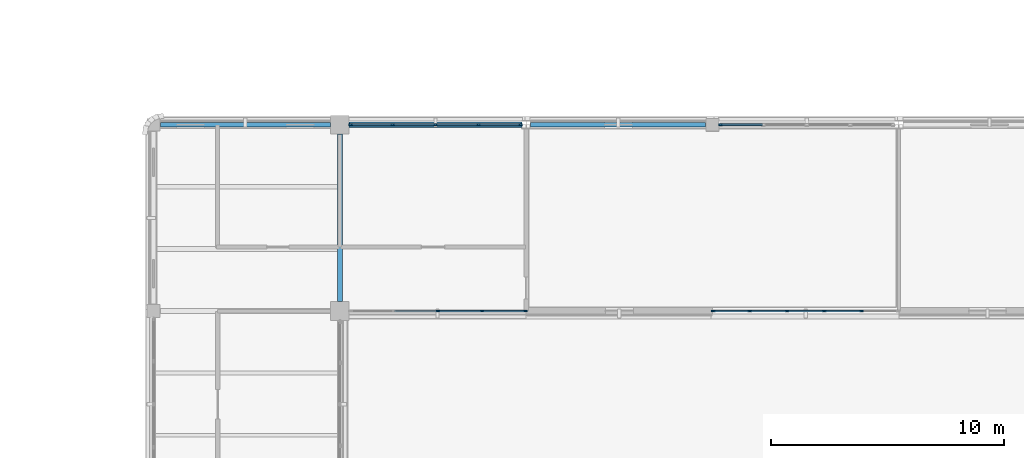
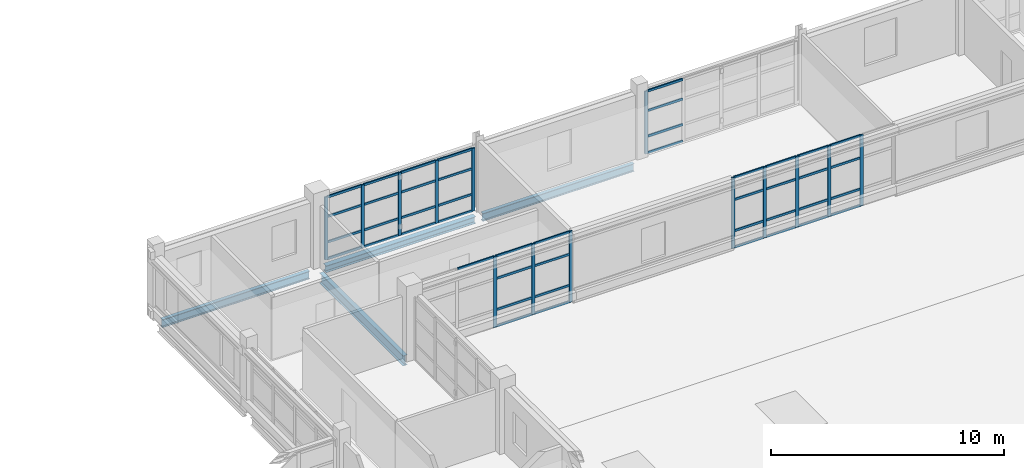
# One storey, part 35 of 107: 59 members, 4 beams, 4 elements without a shape of their own.
"""IFC4 building model written with IfcOpenShell, lengths in metres."""

from ifc_helpers import new_model, si_unit, derived_unit, direction, frame, origin, origin_2d, place, context, subcontext, project, spatial, rectangle, i_section, extrude, material, layer, layer_set, material_profile, profile_set, type_object, element, aggregate, save


model = new_model("IFC4")

# Units and contexts
model_context = context("Model", 3, precision=1e-05, world=origin(), true_north=direction((0.0, 1.0)))
body_context = subcontext(model_context, "Body", "Model", "MODEL_VIEW")
ifc_project = project(units=[si_unit("LENGTHUNIT", "METRE"), si_unit("AREAUNIT", "SQUARE_METRE"), si_unit("VOLUMEUNIT", "CUBIC_METRE"), si_unit("PLANEANGLEUNIT", "RADIAN"), si_unit("MASSUNIT", "GRAM", prefix="KILO"), derived_unit("THERMALTRANSMITTANCEUNIT", [(si_unit("MASSUNIT", "GRAM", prefix="KILO"), 1), (si_unit("TIMEUNIT", "SECOND"), -3), (si_unit("THERMODYNAMICTEMPERATUREUNIT", "KELVIN"), -1)])], contexts=[model_context])

# Site, building, storey
site_placement = place(None, origin())
site = spatial("IfcSite", under=ifc_project, at=site_placement, CompositionType="ELEMENT")
building_placement = place(site_placement, origin())
building = spatial("IfcBuilding", under=site, at=building_placement, Name="Veyamyaing Civic Hall", CompositionType="ELEMENT")
storey_placement = place(building_placement, frame((0.0, 0.0, 13.860107421875)))
storey = spatial("IfcBuildingStorey", under=building, at=storey_placement, Name="L03", CompositionType="ELEMENT", Elevation=13.860107421875)

# Beams
ifc_material_1 = material(Name="Steel ASTM A992", Category="steel")
ifc_material_profile_1 = material_profile(ifc_material_1, i_section(OverallWidth=0.179931640625, OverallDepth=0.4130859375, WebThickness=0.009765625, FlangeThickness=0.01611328125, FilletRadius=0.010009765625, at=origin_2d()), Name="W410X74")
ifc_profile_set_1 = profile_set([ifc_material_profile_1], Name="Steel ASTM A992")
beam_type_1 = type_object("IfcBeamType", Name="B-10", PredefinedType="SPANDREL", material=ifc_profile_set_1)
beam_1_placement = place(storey_placement, frame((80.185546875, 80.0, -0.461669921875), z_axis=(1.0, 0.0, 0.0), x_axis=(0.0, 1.0, 0.0)))
element("IfcBeam", 1, at=beam_1_placement, inside=storey, type_object=beam_type_1, Name="Girder B-10 L03 Grid L 11-12", PredefinedType="SPANDREL", context=body_context, shape_type="SweptSolid", body=[
    extrude(i_section(OverallWidth=0.179931640625, OverallDepth=0.4130859375, WebThickness=0.009765625, FlangeThickness=0.01611328125, FilletRadius=0.010009765625, at=origin_2d()), origin(), (0.0, 0.0, 1.0), 7.514404296875),
])
ifc_material_profile_2 = material_profile(ifc_material_1, i_section(OverallWidth=0.2109375, OverallDepth=0.5390625, WebThickness=0.01171875, FlangeThickness=0.018798828125, FilletRadius=0.011962890625, at=origin_2d()), Name="W530X109")
ifc_profile_set_2 = profile_set([ifc_material_profile_2], Name="Steel ASTM A992")
beam_type_2 = type_object("IfcBeamType", Name="B-17", PredefinedType="BEAM", material=ifc_profile_set_2)
beam_2_placement = place(storey_placement, frame((72.0, 72.39990234375, -0.524658203125), z_axis=(0.0, 1.0, 0.0), x_axis=(-1.0, 0.0, 0.0)))
element("IfcBeam", 2, at=beam_2_placement, inside=storey, type_object=beam_type_2, Name="Girder B-17 L03 Grid 10 K-L", PredefinedType="BEAM", context=body_context, shape_type="SweptSolid", body=[
    extrude(i_section(OverallWidth=0.2109375, OverallDepth=0.5390625, WebThickness=0.01171875, FlangeThickness=0.018798828125, FilletRadius=0.011962890625, at=origin_2d()), origin(), (0.0, 0.0, 1.0), 7.2001953125),
])
ifc_material_profile_3 = material_profile(ifc_material_1, i_section(OverallWidth=0.180908203125, OverallDepth=0.4169921875, WebThickness=0.010986328125, FlangeThickness=0.018310546875, FilletRadius=0.010009765625, at=origin_2d()), Name="W410X85")
ifc_profile_set_3 = profile_set([ifc_material_profile_3], Name="Steel ASTM A992")
beam_type_3 = type_object("IfcBeamType", Name="B-19", PredefinedType="SPANDREL", material=ifc_profile_set_3)
beam_3_placement = place(storey_placement, frame((64.300048828125, 80.0, -0.463623046875), z_axis=(1.0, 0.0, 0.0), x_axis=(0.0, 1.0, 0.0)))
element("IfcBeam", 3, at=beam_3_placement, inside=storey, type_object=beam_type_3, Name="Girder B-19 L03 Grid L 9-10", PredefinedType="SPANDREL", context=body_context, shape_type="SweptSolid", body=[
    extrude(i_section(OverallWidth=0.180908203125, OverallDepth=0.4169921875, WebThickness=0.010986328125, FlangeThickness=0.018310546875, FilletRadius=0.010009765625, at=origin_2d()), origin(), (0.0, 0.0, 1.0), 7.300048828125),
])
ifc_material_profile_4 = material_profile(ifc_material_1, i_section(OverallWidth=0.25390625, OverallDepth=0.35302734375, WebThickness=0.009521484375, FlangeThickness=0.016357421875, FilletRadius=0.011962890625, at=origin_2d()), Name="W360X91")
ifc_profile_set_4 = profile_set([ifc_material_profile_4], Name="Steel ASTM A992")
beam_type_4 = type_object("IfcBeamType", Name="B-20", PredefinedType="SPANDREL", material=ifc_profile_set_4)
beam_4_placement = place(storey_placement, frame((72.39990234375, 80.0, -0.431640625), z_axis=(1.0, 0.0, 0.0), x_axis=(0.0, 1.0, 0.0)))
element("IfcBeam", 4, at=beam_4_placement, inside=storey, type_object=beam_type_4, Name="Girder B-20 L03 Grid L 10-11", PredefinedType="SPANDREL", context=body_context, shape_type="SweptSolid", body=[
    extrude(i_section(OverallWidth=0.25390625, OverallDepth=0.35302734375, WebThickness=0.009521484375, FlangeThickness=0.016357421875, FilletRadius=0.011962890625, at=origin_2d()), origin(), (0.0, 0.0, 1.0), 7.41455078125),
])

# Curtain wall, members
ifc_material_2 = material(Name="Anodised aluminium 6063-T6", Category="aluminium")
ifc_layer = layer(ifc_material_2, 0.159912109375, Name="Anodised aluminium 6063-T6")
ifc_layer_set = layer_set([ifc_layer], Name="Anodised aluminium 6063-T6")
curtain_wall_type = type_object("IfcCurtainWallType", Name="CW-07", PredefinedType="NOTDEFINED", material=ifc_layer_set)
curtain_wall_1_placement = place(storey_placement, origin())
curtain_wall_1 = element("IfcCurtainWall", 5, at=curtain_wall_1_placement, inside=storey, type_object=curtain_wall_type, Name="Unitized curtain wall CW-07 L03 S 10.10", PredefinedType="NOTDEFINED")
ifc_material_profile_5 = material_profile(ifc_material_2, rectangle(XDim=0.06494140625, YDim=0.159912109375, at=origin_2d()), Name="ALU-MUL-65X160")
ifc_profile_set_5 = profile_set([ifc_material_profile_5], Name="Anodised aluminium 6063-T6")
member_type_1 = type_object("IfcMemberType", Name="CWM-01", PredefinedType="MULLION", material=ifc_profile_set_5)
member_1_placement = place(storey_placement, frame((76.215087890625, 72.0, 0.0), z_axis=(0.0, 0.0, 1.0), x_axis=(0.0, 1.0, 0.0)))
member_1 = element("IfcMember", 6, at=member_1_placement, type_object=member_type_1, Name="CW-07 mullion 3", PredefinedType="MULLION", context=body_context, shape_type="SweptSolid", body=[
    extrude(rectangle(XDim=0.06494140625, YDim=0.159912109375, at=origin_2d()), origin(), (0.0, 0.0, 1.0), 3.724853515625),
])
member_2_placement = place(storey_placement, frame((78.107421875, 72.0, 0.0), z_axis=(0.0, 0.0, 1.0), x_axis=(0.0, 1.0, 0.0)))
member_2 = element("IfcMember", 7, at=member_2_placement, type_object=member_type_1, Name="CW-07 mullion 4", PredefinedType="MULLION", context=body_context, shape_type="SweptSolid", body=[
    extrude(rectangle(XDim=0.06494140625, YDim=0.159912109375, at=origin_2d()), origin(), (0.0, 0.0, 1.0), 3.724853515625),
])
member_3_placement = place(storey_placement, frame((79.967529296875, 72.0, 0.0), z_axis=(0.0, 0.0, 1.0), x_axis=(0.0, 1.0, 0.0)))
member_3 = element("IfcMember", 8, at=member_3_placement, type_object=member_type_1, Name="CW-07 mullion 5", PredefinedType="MULLION", context=body_context, shape_type="SweptSolid", body=[
    extrude(rectangle(XDim=0.06494140625, YDim=0.159912109375, at=origin_2d()), origin(), (0.0, 0.0, 1.0), 3.724853515625),
])

curtain_wall_2_placement = place(storey_placement, origin())
curtain_wall_2 = element("IfcCurtainWall", 9, at=curtain_wall_2_placement, inside=storey, type_object=curtain_wall_type, Name="Unitized curtain wall CW-07 L03 N 10.10", PredefinedType="NOTDEFINED")
member_4_placement = place(storey_placement, frame((72.46240234375, 80.0, 0.0), z_axis=(0.0, 0.0, 1.0), x_axis=(0.0, 1.0, 0.0)))
member_4 = element("IfcMember", 10, at=member_4_placement, type_object=member_type_1, Name="CW-07 mullion 1", PredefinedType="MULLION", context=body_context, shape_type="SweptSolid", body=[
    extrude(rectangle(XDim=0.06494140625, YDim=0.159912109375, at=origin_2d()), origin(), (0.0, 0.0, 1.0), 3.298828125),
])
member_5_placement = place(storey_placement, frame((74.268798828125, 80.0, 0.0), z_axis=(0.0, 0.0, 1.0), x_axis=(0.0, 1.0, 0.0)))
member_5 = element("IfcMember", 11, at=member_5_placement, type_object=member_type_1, Name="CW-07 mullion 2", PredefinedType="MULLION", context=body_context, shape_type="SweptSolid", body=[
    extrude(rectangle(XDim=0.06494140625, YDim=0.159912109375, at=origin_2d()), origin(), (0.0, 0.0, 1.0), 3.298828125),
])
member_6_placement = place(storey_placement, frame((76.107666015625, 80.0, 0.0), z_axis=(0.0, 0.0, 1.0), x_axis=(0.0, 1.0, 0.0)))
member_6 = element("IfcMember", 12, at=member_6_placement, type_object=member_type_1, Name="CW-07 mullion 3", PredefinedType="MULLION", context=body_context, shape_type="SweptSolid", body=[
    extrude(rectangle(XDim=0.06494140625, YDim=0.159912109375, at=origin_2d()), origin(), (0.0, 0.0, 1.0), 3.298828125),
])
member_7_placement = place(storey_placement, frame((77.946533203125, 80.0, 0.0), z_axis=(0.0, 0.0, 1.0), x_axis=(0.0, 1.0, 0.0)))
member_7 = element("IfcMember", 13, at=member_7_placement, type_object=member_type_1, Name="CW-07 mullion 4", PredefinedType="MULLION", context=body_context, shape_type="SweptSolid", body=[
    extrude(rectangle(XDim=0.06494140625, YDim=0.159912109375, at=origin_2d()), origin(), (0.0, 0.0, 1.0), 3.298828125),
])
member_8_placement = place(storey_placement, frame((79.7529296875, 80.0, 0.0), z_axis=(0.0, 0.0, 1.0), x_axis=(0.0, 1.0, 0.0)))
member_8 = element("IfcMember", 14, at=member_8_placement, type_object=member_type_1, Name="CW-07 mullion 5", PredefinedType="MULLION", context=body_context, shape_type="SweptSolid", body=[
    extrude(rectangle(XDim=0.06494140625, YDim=0.159912109375, at=origin_2d()), origin(), (0.0, 0.0, 1.0), 3.298828125),
])

curtain_wall_3_placement = place(storey_placement, origin())
curtain_wall_3 = element("IfcCurtainWall", 15, at=curtain_wall_3_placement, inside=storey, type_object=curtain_wall_type, Name="Unitized curtain wall CW-07 L03 S 12.10", PredefinedType="NOTDEFINED")
member_9_placement = place(storey_placement, frame((88.032470703125, 72.0, 0.0), z_axis=(0.0, 0.0, 1.0), x_axis=(0.0, 1.0, 0.0)))
member_9 = element("IfcMember", 16, at=member_9_placement, type_object=member_type_1, Name="CW-07 mullion 1", PredefinedType="MULLION", context=body_context, shape_type="SweptSolid", body=[
    extrude(rectangle(XDim=0.06494140625, YDim=0.159912109375, at=origin_2d()), origin(), (0.0, 0.0, 1.0), 3.724853515625),
])
member_10_placement = place(storey_placement, frame((89.60009765625, 72.0, 0.0), z_axis=(0.0, 0.0, 1.0), x_axis=(0.0, 1.0, 0.0)))
member_10 = element("IfcMember", 17, at=member_10_placement, type_object=member_type_1, Name="CW-07 mullion 2", PredefinedType="MULLION", context=body_context, shape_type="SweptSolid", body=[
    extrude(rectangle(XDim=0.06494140625, YDim=0.159912109375, at=origin_2d()), origin(), (0.0, 0.0, 1.0), 3.724853515625),
])
member_11_placement = place(storey_placement, frame((91.199951171875, 72.0, 0.0), z_axis=(0.0, 0.0, 1.0), x_axis=(0.0, 1.0, 0.0)))
member_11 = element("IfcMember", 18, at=member_11_placement, type_object=member_type_1, Name="CW-07 mullion 3", PredefinedType="MULLION", context=body_context, shape_type="SweptSolid", body=[
    extrude(rectangle(XDim=0.06494140625, YDim=0.159912109375, at=origin_2d()), origin(), (0.0, 0.0, 1.0), 3.724853515625),
])
member_12_placement = place(storey_placement, frame((92.800048828125, 72.0, 0.0), z_axis=(0.0, 0.0, 1.0), x_axis=(0.0, 1.0, 0.0)))
member_12 = element("IfcMember", 19, at=member_12_placement, type_object=member_type_1, Name="CW-07 mullion 4", PredefinedType="MULLION", context=body_context, shape_type="SweptSolid", body=[
    extrude(rectangle(XDim=0.06494140625, YDim=0.159912109375, at=origin_2d()), origin(), (0.0, 0.0, 1.0), 3.724853515625),
])
member_13_placement = place(storey_placement, frame((94.39990234375, 72.0, 0.0), z_axis=(0.0, 0.0, 1.0), x_axis=(0.0, 1.0, 0.0)))
member_13 = element("IfcMember", 20, at=member_13_placement, type_object=member_type_1, Name="CW-07 mullion 5", PredefinedType="MULLION", context=body_context, shape_type="SweptSolid", body=[
    extrude(rectangle(XDim=0.06494140625, YDim=0.159912109375, at=origin_2d()), origin(), (0.0, 0.0, 1.0), 3.724853515625),
])

# Curtain wall, member
curtain_wall_4_placement = place(storey_placement, origin())
curtain_wall_4 = element("IfcCurtainWall", 21, at=curtain_wall_4_placement, inside=storey, type_object=curtain_wall_type, Name="Unitized curtain wall CW-07 L03 N 12.10", PredefinedType="NOTDEFINED")
member_14_placement = place(storey_placement, frame((88.33740234375, 80.0, 0.0), z_axis=(0.0, 0.0, 1.0), x_axis=(0.0, 1.0, 0.0)))
member_14 = element("IfcMember", 22, at=member_14_placement, type_object=member_type_1, Name="CW-07 mullion 1", PredefinedType="MULLION", context=body_context, shape_type="SweptSolid", body=[
    extrude(rectangle(XDim=0.06494140625, YDim=0.159912109375, at=origin_2d()), origin(), (0.0, 0.0, 1.0), 3.294921875),
])

# Member
ifc_material_profile_6 = material_profile(ifc_material_2, rectangle(XDim=0.06494140625, YDim=0.1201171875, at=origin_2d()), Name="ALU-TRN-65X120")
ifc_profile_set_6 = profile_set([ifc_material_profile_6], Name="Anodised aluminium 6063-T6")
member_type_2 = type_object("IfcMemberType", Name="CWT-01", PredefinedType="USERDEFINED", material=ifc_profile_set_6)
member_15_placement = place(storey_placement, frame((74.35498046875, 72.0, 3.6923828125), z_axis=(1.0, 0.0, 0.0), x_axis=(0.0, 1.0, 0.0)))
member_15 = element("IfcMember", 23, at=member_15_placement, type_object=member_type_2, Name="CW-07 transom 2.4", ObjectType="TRANSOM", PredefinedType="USERDEFINED", context=body_context, shape_type="SweptSolid", body=[
    extrude(rectangle(XDim=0.06494140625, YDim=0.1201171875, at=origin_2d()), origin(), (0.0, 0.0, 1.0), 1.82763671875),
])

member_16_placement = place(storey_placement, frame((76.24755859375, 72.0, 0.032470703125), z_axis=(1.0, 0.0, 0.0), x_axis=(0.0, 1.0, 0.0)))
member_16 = element("IfcMember", 24, at=member_16_placement, type_object=member_type_2, Name="CW-07 transom 3.1", ObjectType="TRANSOM", PredefinedType="USERDEFINED", context=body_context, shape_type="SweptSolid", body=[
    extrude(rectangle(XDim=0.06494140625, YDim=0.1201171875, at=origin_2d()), origin(), (0.0, 0.0, 1.0), 1.827392578125),
])

member_17_placement = place(storey_placement, frame((76.24755859375, 72.0, 0.89990234375), z_axis=(1.0, 0.0, 0.0), x_axis=(0.0, 1.0, 0.0)))
member_17 = element("IfcMember", 25, at=member_17_placement, type_object=member_type_2, Name="CW-07 transom 3.2", ObjectType="TRANSOM", PredefinedType="USERDEFINED", context=body_context, shape_type="SweptSolid", body=[
    extrude(rectangle(XDim=0.06494140625, YDim=0.1201171875, at=origin_2d()), origin(), (0.0, 0.0, 1.0), 1.827392578125),
])

member_18_placement = place(storey_placement, frame((76.24755859375, 72.0, 2.532958984375), z_axis=(1.0, 0.0, 0.0), x_axis=(0.0, 1.0, 0.0)))
member_18 = element("IfcMember", 26, at=member_18_placement, type_object=member_type_2, Name="CW-07 transom 3.3", ObjectType="TRANSOM", PredefinedType="USERDEFINED", context=body_context, shape_type="SweptSolid", body=[
    extrude(rectangle(XDim=0.06494140625, YDim=0.1201171875, at=origin_2d()), origin(), (0.0, 0.0, 1.0), 1.827392578125),
])

member_19_placement = place(storey_placement, frame((76.24755859375, 72.0, 3.6923828125), z_axis=(1.0, 0.0, 0.0), x_axis=(0.0, 1.0, 0.0)))
member_19 = element("IfcMember", 27, at=member_19_placement, type_object=member_type_2, Name="CW-07 transom 3.4", ObjectType="TRANSOM", PredefinedType="USERDEFINED", context=body_context, shape_type="SweptSolid", body=[
    extrude(rectangle(XDim=0.06494140625, YDim=0.1201171875, at=origin_2d()), origin(), (0.0, 0.0, 1.0), 1.827392578125),
])

member_20_placement = place(storey_placement, frame((78.139892578125, 72.0, 0.032470703125), z_axis=(1.0, 0.0, 0.0), x_axis=(0.0, 1.0, 0.0)))
member_20 = element("IfcMember", 28, at=member_20_placement, type_object=member_type_2, Name="CW-07 transom 4.1", ObjectType="TRANSOM", PredefinedType="USERDEFINED", context=body_context, shape_type="SweptSolid", body=[
    extrude(rectangle(XDim=0.06494140625, YDim=0.1201171875, at=origin_2d()), origin(), (0.0, 0.0, 1.0), 1.795166015625),
])

member_21_placement = place(storey_placement, frame((78.139892578125, 72.0, 0.89990234375), z_axis=(1.0, 0.0, 0.0), x_axis=(0.0, 1.0, 0.0)))
member_21 = element("IfcMember", 29, at=member_21_placement, type_object=member_type_2, Name="CW-07 transom 4.2", ObjectType="TRANSOM", PredefinedType="USERDEFINED", context=body_context, shape_type="SweptSolid", body=[
    extrude(rectangle(XDim=0.06494140625, YDim=0.1201171875, at=origin_2d()), origin(), (0.0, 0.0, 1.0), 1.795166015625),
])

member_22_placement = place(storey_placement, frame((78.139892578125, 72.0, 2.532958984375), z_axis=(1.0, 0.0, 0.0), x_axis=(0.0, 1.0, 0.0)))
member_22 = element("IfcMember", 30, at=member_22_placement, type_object=member_type_2, Name="CW-07 transom 4.3", ObjectType="TRANSOM", PredefinedType="USERDEFINED", context=body_context, shape_type="SweptSolid", body=[
    extrude(rectangle(XDim=0.06494140625, YDim=0.1201171875, at=origin_2d()), origin(), (0.0, 0.0, 1.0), 1.795166015625),
])

member_23_placement = place(storey_placement, frame((78.139892578125, 72.0, 3.6923828125), z_axis=(1.0, 0.0, 0.0), x_axis=(0.0, 1.0, 0.0)))
member_23 = element("IfcMember", 31, at=member_23_placement, type_object=member_type_2, Name="CW-07 transom 4.4", ObjectType="TRANSOM", PredefinedType="USERDEFINED", context=body_context, shape_type="SweptSolid", body=[
    extrude(rectangle(XDim=0.06494140625, YDim=0.1201171875, at=origin_2d()), origin(), (0.0, 0.0, 1.0), 1.795166015625),
])

aggregate(curtain_wall_1, [member_1, member_2, member_3, member_15, member_16, member_17, member_18, member_19, member_20, member_21, member_22, member_23])

member_24_placement = place(storey_placement, frame((72.4951171875, 80.0, 0.032470703125), z_axis=(1.0, 0.0, 0.0), x_axis=(0.0, 1.0, 0.0)))
member_24 = element("IfcMember", 32, at=member_24_placement, type_object=member_type_2, Name="CW-07 transom 1.1", ObjectType="TRANSOM", PredefinedType="USERDEFINED", context=body_context, shape_type="SweptSolid", body=[
    extrude(rectangle(XDim=0.06494140625, YDim=0.1201171875, at=origin_2d()), origin(), (0.0, 0.0, 1.0), 1.7412109375),
])

member_25_placement = place(storey_placement, frame((72.4951171875, 80.0, 0.89990234375), z_axis=(1.0, 0.0, 0.0), x_axis=(0.0, 1.0, 0.0)))
member_25 = element("IfcMember", 33, at=member_25_placement, type_object=member_type_2, Name="CW-07 transom 1.2", ObjectType="TRANSOM", PredefinedType="USERDEFINED", context=body_context, shape_type="SweptSolid", body=[
    extrude(rectangle(XDim=0.06494140625, YDim=0.1201171875, at=origin_2d()), origin(), (0.0, 0.0, 1.0), 1.7412109375),
])

member_26_placement = place(storey_placement, frame((72.4951171875, 80.0, 2.2431640625), z_axis=(1.0, 0.0, 0.0), x_axis=(0.0, 1.0, 0.0)))
member_26 = element("IfcMember", 34, at=member_26_placement, type_object=member_type_2, Name="CW-07 transom 1.3", ObjectType="TRANSOM", PredefinedType="USERDEFINED", context=body_context, shape_type="SweptSolid", body=[
    extrude(rectangle(XDim=0.06494140625, YDim=0.1201171875, at=origin_2d()), origin(), (0.0, 0.0, 1.0), 1.7412109375),
])

member_27_placement = place(storey_placement, frame((72.4951171875, 80.0, 3.266357421875), z_axis=(1.0, 0.0, 0.0), x_axis=(0.0, 1.0, 0.0)))
member_27 = element("IfcMember", 35, at=member_27_placement, type_object=member_type_2, Name="CW-07 transom 1.4", ObjectType="TRANSOM", PredefinedType="USERDEFINED", context=body_context, shape_type="SweptSolid", body=[
    extrude(rectangle(XDim=0.06494140625, YDim=0.1201171875, at=origin_2d()), origin(), (0.0, 0.0, 1.0), 1.7412109375),
])

member_28_placement = place(storey_placement, frame((74.30126953125, 80.0, 0.032470703125), z_axis=(1.0, 0.0, 0.0), x_axis=(0.0, 1.0, 0.0)))
member_28 = element("IfcMember", 36, at=member_28_placement, type_object=member_type_2, Name="CW-07 transom 2.1", ObjectType="TRANSOM", PredefinedType="USERDEFINED", context=body_context, shape_type="SweptSolid", body=[
    extrude(rectangle(XDim=0.06494140625, YDim=0.1201171875, at=origin_2d()), origin(), (0.0, 0.0, 1.0), 1.77392578125),
])

member_29_placement = place(storey_placement, frame((74.30126953125, 80.0, 0.89990234375), z_axis=(1.0, 0.0, 0.0), x_axis=(0.0, 1.0, 0.0)))
member_29 = element("IfcMember", 37, at=member_29_placement, type_object=member_type_2, Name="CW-07 transom 2.2", ObjectType="TRANSOM", PredefinedType="USERDEFINED", context=body_context, shape_type="SweptSolid", body=[
    extrude(rectangle(XDim=0.06494140625, YDim=0.1201171875, at=origin_2d()), origin(), (0.0, 0.0, 1.0), 1.77392578125),
])

member_30_placement = place(storey_placement, frame((74.30126953125, 80.0, 2.2431640625), z_axis=(1.0, 0.0, 0.0), x_axis=(0.0, 1.0, 0.0)))
member_30 = element("IfcMember", 38, at=member_30_placement, type_object=member_type_2, Name="CW-07 transom 2.3", ObjectType="TRANSOM", PredefinedType="USERDEFINED", context=body_context, shape_type="SweptSolid", body=[
    extrude(rectangle(XDim=0.06494140625, YDim=0.1201171875, at=origin_2d()), origin(), (0.0, 0.0, 1.0), 1.77392578125),
])

member_31_placement = place(storey_placement, frame((74.30126953125, 80.0, 3.266357421875), z_axis=(1.0, 0.0, 0.0), x_axis=(0.0, 1.0, 0.0)))
member_31 = element("IfcMember", 39, at=member_31_placement, type_object=member_type_2, Name="CW-07 transom 2.4", ObjectType="TRANSOM", PredefinedType="USERDEFINED", context=body_context, shape_type="SweptSolid", body=[
    extrude(rectangle(XDim=0.06494140625, YDim=0.1201171875, at=origin_2d()), origin(), (0.0, 0.0, 1.0), 1.77392578125),
])

member_32_placement = place(storey_placement, frame((76.14013671875, 80.0, 0.032470703125), z_axis=(1.0, 0.0, 0.0), x_axis=(0.0, 1.0, 0.0)))
member_32 = element("IfcMember", 40, at=member_32_placement, type_object=member_type_2, Name="CW-07 transom 3.1", ObjectType="TRANSOM", PredefinedType="USERDEFINED", context=body_context, shape_type="SweptSolid", body=[
    extrude(rectangle(XDim=0.06494140625, YDim=0.1201171875, at=origin_2d()), origin(), (0.0, 0.0, 1.0), 1.77392578125),
])

member_33_placement = place(storey_placement, frame((76.14013671875, 80.0, 0.89990234375), z_axis=(1.0, 0.0, 0.0), x_axis=(0.0, 1.0, 0.0)))
member_33 = element("IfcMember", 41, at=member_33_placement, type_object=member_type_2, Name="CW-07 transom 3.2", ObjectType="TRANSOM", PredefinedType="USERDEFINED", context=body_context, shape_type="SweptSolid", body=[
    extrude(rectangle(XDim=0.06494140625, YDim=0.1201171875, at=origin_2d()), origin(), (0.0, 0.0, 1.0), 1.77392578125),
])

member_34_placement = place(storey_placement, frame((76.14013671875, 80.0, 2.2431640625), z_axis=(1.0, 0.0, 0.0), x_axis=(0.0, 1.0, 0.0)))
member_34 = element("IfcMember", 42, at=member_34_placement, type_object=member_type_2, Name="CW-07 transom 3.3", ObjectType="TRANSOM", PredefinedType="USERDEFINED", context=body_context, shape_type="SweptSolid", body=[
    extrude(rectangle(XDim=0.06494140625, YDim=0.1201171875, at=origin_2d()), origin(), (0.0, 0.0, 1.0), 1.77392578125),
])

member_35_placement = place(storey_placement, frame((76.14013671875, 80.0, 3.266357421875), z_axis=(1.0, 0.0, 0.0), x_axis=(0.0, 1.0, 0.0)))
member_35 = element("IfcMember", 43, at=member_35_placement, type_object=member_type_2, Name="CW-07 transom 3.4", ObjectType="TRANSOM", PredefinedType="USERDEFINED", context=body_context, shape_type="SweptSolid", body=[
    extrude(rectangle(XDim=0.06494140625, YDim=0.1201171875, at=origin_2d()), origin(), (0.0, 0.0, 1.0), 1.77392578125),
])

member_36_placement = place(storey_placement, frame((77.97900390625, 80.0, 0.032470703125), z_axis=(1.0, 0.0, 0.0), x_axis=(0.0, 1.0, 0.0)))
member_36 = element("IfcMember", 44, at=member_36_placement, type_object=member_type_2, Name="CW-07 transom 4.1", ObjectType="TRANSOM", PredefinedType="USERDEFINED", context=body_context, shape_type="SweptSolid", body=[
    extrude(rectangle(XDim=0.06494140625, YDim=0.1201171875, at=origin_2d()), origin(), (0.0, 0.0, 1.0), 1.741455078125),
])

member_37_placement = place(storey_placement, frame((77.97900390625, 80.0, 0.89990234375), z_axis=(1.0, 0.0, 0.0), x_axis=(0.0, 1.0, 0.0)))
member_37 = element("IfcMember", 45, at=member_37_placement, type_object=member_type_2, Name="CW-07 transom 4.2", ObjectType="TRANSOM", PredefinedType="USERDEFINED", context=body_context, shape_type="SweptSolid", body=[
    extrude(rectangle(XDim=0.06494140625, YDim=0.1201171875, at=origin_2d()), origin(), (0.0, 0.0, 1.0), 1.741455078125),
])

member_38_placement = place(storey_placement, frame((77.97900390625, 80.0, 2.2431640625), z_axis=(1.0, 0.0, 0.0), x_axis=(0.0, 1.0, 0.0)))
member_38 = element("IfcMember", 46, at=member_38_placement, type_object=member_type_2, Name="CW-07 transom 4.3", ObjectType="TRANSOM", PredefinedType="USERDEFINED", context=body_context, shape_type="SweptSolid", body=[
    extrude(rectangle(XDim=0.06494140625, YDim=0.1201171875, at=origin_2d()), origin(), (0.0, 0.0, 1.0), 1.741455078125),
])

member_39_placement = place(storey_placement, frame((77.97900390625, 80.0, 3.266357421875), z_axis=(1.0, 0.0, 0.0), x_axis=(0.0, 1.0, 0.0)))
member_39 = element("IfcMember", 47, at=member_39_placement, type_object=member_type_2, Name="CW-07 transom 4.4", ObjectType="TRANSOM", PredefinedType="USERDEFINED", context=body_context, shape_type="SweptSolid", body=[
    extrude(rectangle(XDim=0.06494140625, YDim=0.1201171875, at=origin_2d()), origin(), (0.0, 0.0, 1.0), 1.741455078125),
])

aggregate(curtain_wall_2, [member_4, member_5, member_6, member_7, member_8, member_24, member_25, member_26, member_27, member_28, member_29, member_30, member_31, member_32, member_33, member_34, member_35, member_36, member_37, member_38, member_39])

member_40_placement = place(storey_placement, frame((88.06494140625, 72.0, 0.032470703125), z_axis=(1.0, 0.0, 0.0), x_axis=(0.0, 1.0, 0.0)))
member_40 = element("IfcMember", 48, at=member_40_placement, type_object=member_type_2, Name="CW-07 transom 1.1", ObjectType="TRANSOM", PredefinedType="USERDEFINED", context=body_context, shape_type="SweptSolid", body=[
    extrude(rectangle(XDim=0.06494140625, YDim=0.1201171875, at=origin_2d()), origin(), (0.0, 0.0, 1.0), 1.50244140625),
])

member_41_placement = place(storey_placement, frame((88.06494140625, 72.0, 0.89990234375), z_axis=(1.0, 0.0, 0.0), x_axis=(0.0, 1.0, 0.0)))
member_41 = element("IfcMember", 49, at=member_41_placement, type_object=member_type_2, Name="CW-07 transom 1.2", ObjectType="TRANSOM", PredefinedType="USERDEFINED", context=body_context, shape_type="SweptSolid", body=[
    extrude(rectangle(XDim=0.06494140625, YDim=0.1201171875, at=origin_2d()), origin(), (0.0, 0.0, 1.0), 1.50244140625),
])

member_42_placement = place(storey_placement, frame((88.06494140625, 72.0, 2.532958984375), z_axis=(1.0, 0.0, 0.0), x_axis=(0.0, 1.0, 0.0)))
member_42 = element("IfcMember", 50, at=member_42_placement, type_object=member_type_2, Name="CW-07 transom 1.3", ObjectType="TRANSOM", PredefinedType="USERDEFINED", context=body_context, shape_type="SweptSolid", body=[
    extrude(rectangle(XDim=0.06494140625, YDim=0.1201171875, at=origin_2d()), origin(), (0.0, 0.0, 1.0), 1.50244140625),
])

member_43_placement = place(storey_placement, frame((88.06494140625, 72.0, 3.6923828125), z_axis=(1.0, 0.0, 0.0), x_axis=(0.0, 1.0, 0.0)))
member_43 = element("IfcMember", 51, at=member_43_placement, type_object=member_type_2, Name="CW-07 transom 1.4", ObjectType="TRANSOM", PredefinedType="USERDEFINED", context=body_context, shape_type="SweptSolid", body=[
    extrude(rectangle(XDim=0.06494140625, YDim=0.1201171875, at=origin_2d()), origin(), (0.0, 0.0, 1.0), 1.50244140625),
])

member_44_placement = place(storey_placement, frame((89.632568359375, 72.0, 0.032470703125), z_axis=(1.0, 0.0, 0.0), x_axis=(0.0, 1.0, 0.0)))
member_44 = element("IfcMember", 52, at=member_44_placement, type_object=member_type_2, Name="CW-07 transom 2.1", ObjectType="TRANSOM", PredefinedType="USERDEFINED", context=body_context, shape_type="SweptSolid", body=[
    extrude(rectangle(XDim=0.06494140625, YDim=0.1201171875, at=origin_2d()), origin(), (0.0, 0.0, 1.0), 1.534912109375),
])

member_45_placement = place(storey_placement, frame((89.632568359375, 72.0, 0.89990234375), z_axis=(1.0, 0.0, 0.0), x_axis=(0.0, 1.0, 0.0)))
member_45 = element("IfcMember", 53, at=member_45_placement, type_object=member_type_2, Name="CW-07 transom 2.2", ObjectType="TRANSOM", PredefinedType="USERDEFINED", context=body_context, shape_type="SweptSolid", body=[
    extrude(rectangle(XDim=0.06494140625, YDim=0.1201171875, at=origin_2d()), origin(), (0.0, 0.0, 1.0), 1.534912109375),
])

member_46_placement = place(storey_placement, frame((89.632568359375, 72.0, 2.532958984375), z_axis=(1.0, 0.0, 0.0), x_axis=(0.0, 1.0, 0.0)))
member_46 = element("IfcMember", 54, at=member_46_placement, type_object=member_type_2, Name="CW-07 transom 2.3", ObjectType="TRANSOM", PredefinedType="USERDEFINED", context=body_context, shape_type="SweptSolid", body=[
    extrude(rectangle(XDim=0.06494140625, YDim=0.1201171875, at=origin_2d()), origin(), (0.0, 0.0, 1.0), 1.534912109375),
])

member_47_placement = place(storey_placement, frame((89.632568359375, 72.0, 3.6923828125), z_axis=(1.0, 0.0, 0.0), x_axis=(0.0, 1.0, 0.0)))
member_47 = element("IfcMember", 55, at=member_47_placement, type_object=member_type_2, Name="CW-07 transom 2.4", ObjectType="TRANSOM", PredefinedType="USERDEFINED", context=body_context, shape_type="SweptSolid", body=[
    extrude(rectangle(XDim=0.06494140625, YDim=0.1201171875, at=origin_2d()), origin(), (0.0, 0.0, 1.0), 1.534912109375),
])

member_48_placement = place(storey_placement, frame((91.232421875, 72.0, 0.032470703125), z_axis=(1.0, 0.0, 0.0), x_axis=(0.0, 1.0, 0.0)))
member_48 = element("IfcMember", 56, at=member_48_placement, type_object=member_type_2, Name="CW-07 transom 3.1", ObjectType="TRANSOM", PredefinedType="USERDEFINED", context=body_context, shape_type="SweptSolid", body=[
    extrude(rectangle(XDim=0.06494140625, YDim=0.1201171875, at=origin_2d()), origin(), (0.0, 0.0, 1.0), 1.53515625),
])

member_49_placement = place(storey_placement, frame((91.232421875, 72.0, 0.89990234375), z_axis=(1.0, 0.0, 0.0), x_axis=(0.0, 1.0, 0.0)))
member_49 = element("IfcMember", 57, at=member_49_placement, type_object=member_type_2, Name="CW-07 transom 3.2", ObjectType="TRANSOM", PredefinedType="USERDEFINED", context=body_context, shape_type="SweptSolid", body=[
    extrude(rectangle(XDim=0.06494140625, YDim=0.1201171875, at=origin_2d()), origin(), (0.0, 0.0, 1.0), 1.53515625),
])

member_50_placement = place(storey_placement, frame((91.232421875, 72.0, 2.532958984375), z_axis=(1.0, 0.0, 0.0), x_axis=(0.0, 1.0, 0.0)))
member_50 = element("IfcMember", 58, at=member_50_placement, type_object=member_type_2, Name="CW-07 transom 3.3", ObjectType="TRANSOM", PredefinedType="USERDEFINED", context=body_context, shape_type="SweptSolid", body=[
    extrude(rectangle(XDim=0.06494140625, YDim=0.1201171875, at=origin_2d()), origin(), (0.0, 0.0, 1.0), 1.53515625),
])

member_51_placement = place(storey_placement, frame((91.232421875, 72.0, 3.6923828125), z_axis=(1.0, 0.0, 0.0), x_axis=(0.0, 1.0, 0.0)))
member_51 = element("IfcMember", 59, at=member_51_placement, type_object=member_type_2, Name="CW-07 transom 3.4", ObjectType="TRANSOM", PredefinedType="USERDEFINED", context=body_context, shape_type="SweptSolid", body=[
    extrude(rectangle(XDim=0.06494140625, YDim=0.1201171875, at=origin_2d()), origin(), (0.0, 0.0, 1.0), 1.53515625),
])

member_52_placement = place(storey_placement, frame((92.83251953125, 72.0, 0.032470703125), z_axis=(1.0, 0.0, 0.0), x_axis=(0.0, 1.0, 0.0)))
member_52 = element("IfcMember", 60, at=member_52_placement, type_object=member_type_2, Name="CW-07 transom 4.1", ObjectType="TRANSOM", PredefinedType="USERDEFINED", context=body_context, shape_type="SweptSolid", body=[
    extrude(rectangle(XDim=0.06494140625, YDim=0.1201171875, at=origin_2d()), origin(), (0.0, 0.0, 1.0), 1.534912109375),
])

member_53_placement = place(storey_placement, frame((92.83251953125, 72.0, 0.89990234375), z_axis=(1.0, 0.0, 0.0), x_axis=(0.0, 1.0, 0.0)))
member_53 = element("IfcMember", 61, at=member_53_placement, type_object=member_type_2, Name="CW-07 transom 4.2", ObjectType="TRANSOM", PredefinedType="USERDEFINED", context=body_context, shape_type="SweptSolid", body=[
    extrude(rectangle(XDim=0.06494140625, YDim=0.1201171875, at=origin_2d()), origin(), (0.0, 0.0, 1.0), 1.534912109375),
])

member_54_placement = place(storey_placement, frame((92.83251953125, 72.0, 2.532958984375), z_axis=(1.0, 0.0, 0.0), x_axis=(0.0, 1.0, 0.0)))
member_54 = element("IfcMember", 62, at=member_54_placement, type_object=member_type_2, Name="CW-07 transom 4.3", ObjectType="TRANSOM", PredefinedType="USERDEFINED", context=body_context, shape_type="SweptSolid", body=[
    extrude(rectangle(XDim=0.06494140625, YDim=0.1201171875, at=origin_2d()), origin(), (0.0, 0.0, 1.0), 1.534912109375),
])

member_55_placement = place(storey_placement, frame((92.83251953125, 72.0, 3.6923828125), z_axis=(1.0, 0.0, 0.0), x_axis=(0.0, 1.0, 0.0)))
member_55 = element("IfcMember", 63, at=member_55_placement, type_object=member_type_2, Name="CW-07 transom 4.4", ObjectType="TRANSOM", PredefinedType="USERDEFINED", context=body_context, shape_type="SweptSolid", body=[
    extrude(rectangle(XDim=0.06494140625, YDim=0.1201171875, at=origin_2d()), origin(), (0.0, 0.0, 1.0), 1.534912109375),
])

aggregate(curtain_wall_3, [member_9, member_10, member_11, member_12, member_13, member_40, member_41, member_42, member_43, member_44, member_45, member_46, member_47, member_48, member_49, member_50, member_51, member_52, member_53, member_54, member_55])

member_56_placement = place(storey_placement, frame((88.3701171875, 80.0, 0.032470703125), z_axis=(1.0, 0.0, 0.0), x_axis=(0.0, 1.0, 0.0)))
member_56 = element("IfcMember", 64, at=member_56_placement, type_object=member_type_2, Name="CW-07 transom 1.1", ObjectType="TRANSOM", PredefinedType="USERDEFINED", context=body_context, shape_type="SweptSolid", body=[
    extrude(rectangle(XDim=0.06494140625, YDim=0.1201171875, at=origin_2d()), origin(), (0.0, 0.0, 1.0), 1.7724609375),
])

member_57_placement = place(storey_placement, frame((88.3701171875, 80.0, 0.89990234375), z_axis=(1.0, 0.0, 0.0), x_axis=(0.0, 1.0, 0.0)))
member_57 = element("IfcMember", 65, at=member_57_placement, type_object=member_type_2, Name="CW-07 transom 1.2", ObjectType="TRANSOM", PredefinedType="USERDEFINED", context=body_context, shape_type="SweptSolid", body=[
    extrude(rectangle(XDim=0.06494140625, YDim=0.1201171875, at=origin_2d()), origin(), (0.0, 0.0, 1.0), 1.7724609375),
])

member_58_placement = place(storey_placement, frame((88.3701171875, 80.0, 2.240478515625), z_axis=(1.0, 0.0, 0.0), x_axis=(0.0, 1.0, 0.0)))
member_58 = element("IfcMember", 66, at=member_58_placement, type_object=member_type_2, Name="CW-07 transom 1.3", ObjectType="TRANSOM", PredefinedType="USERDEFINED", context=body_context, shape_type="SweptSolid", body=[
    extrude(rectangle(XDim=0.06494140625, YDim=0.1201171875, at=origin_2d()), origin(), (0.0, 0.0, 1.0), 1.7724609375),
])

member_59_placement = place(storey_placement, frame((88.3701171875, 80.0, 3.262451171875), z_axis=(1.0, 0.0, 0.0), x_axis=(0.0, 1.0, 0.0)))
member_59 = element("IfcMember", 67, at=member_59_placement, type_object=member_type_2, Name="CW-07 transom 1.4", ObjectType="TRANSOM", PredefinedType="USERDEFINED", context=body_context, shape_type="SweptSolid", body=[
    extrude(rectangle(XDim=0.06494140625, YDim=0.1201171875, at=origin_2d()), origin(), (0.0, 0.0, 1.0), 1.7724609375),
])

aggregate(curtain_wall_4, [member_14, member_56, member_57, member_58, member_59])

save(model, "model.ifc")
